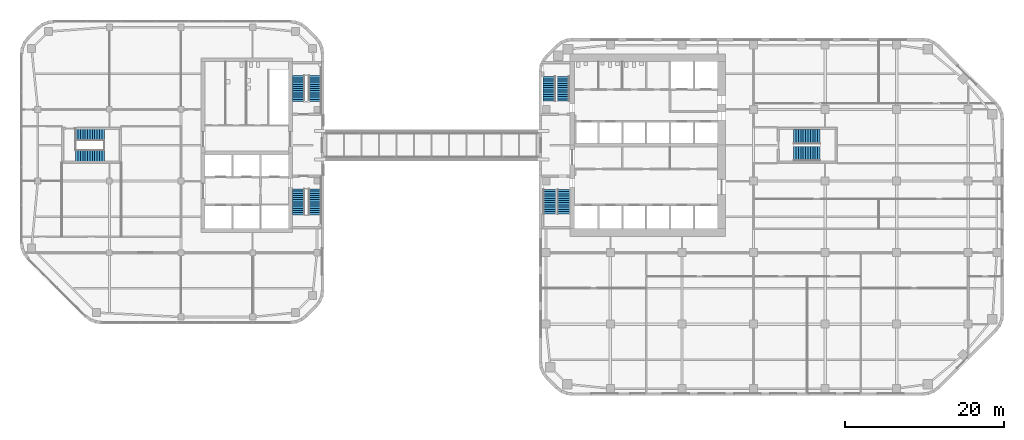
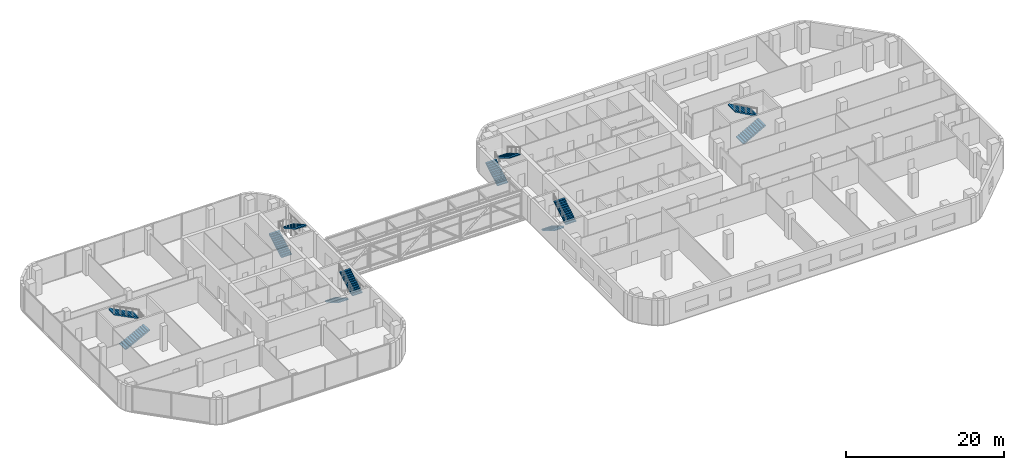
# One storey, part 21 of 24: 12 stair flights, 6 elements without a shape of their own.
"""IFC4 building model written with IfcOpenShell, lengths in metres."""

from ifc_helpers import new_model, si_unit, direction, frame, origin, place, context, subcontext, project, spatial, polyline, outline, extrude, material, type_object, element, aggregate, save


model = new_model("IFC4")

# Units and contexts
model_context = context("Model", 3, precision=1e-05, world=origin(), true_north=direction((0.0, 1.0)))
body_context = subcontext(model_context, "Body", "Model", "MODEL_VIEW")
ifc_project = project(units=[si_unit("LENGTHUNIT", "METRE"), si_unit("AREAUNIT", "SQUARE_METRE"), si_unit("VOLUMEUNIT", "CUBIC_METRE"), si_unit("PLANEANGLEUNIT", "RADIAN"), si_unit("MASSUNIT", "GRAM", prefix="KILO")], contexts=[model_context])

# Site, building, storey
site_placement = place(None, origin())
site = spatial("IfcSite", under=ifc_project, at=site_placement, CompositionType="ELEMENT")
building_placement = place(site_placement, origin())
building = spatial("IfcBuilding", under=site, at=building_placement, Name="Cinnabar Reach Civic Tower", CompositionType="ELEMENT")
storey_placement = place(building_placement, frame((0.0, 0.0, 71.0)))
storey = spatial("IfcBuildingStorey", under=building, at=storey_placement, Name="L16", CompositionType="ELEMENT", Elevation=71.0)

# Stair, stair flights
ifc_material_1 = material(Name="Concrete C40/50", Category="concrete")
stair_type_1 = type_object("IfcStairType", Name="T1 Exit stair, half-turn", PredefinedType="HALF_TURN_STAIR", material=ifc_material_1)
stair_1_placement = place(storey_placement, origin())
stair_1 = element("IfcStair", 1, at=stair_1_placement, inside=storey, type_object=stair_type_1, Name="Stair T1-S1", PredefinedType="HALF_TURN_STAIR")
stair_flight_type_1 = type_object("IfcStairFlightType", Name="T1 Stair flight, concrete", PredefinedType="STRAIGHT", material=ifc_material_1)
stair_flight_1_placement = place(storey_placement, frame((1.3125, 25.95, 0.0), z_axis=(0.0, 0.0, 1.0), x_axis=(0.0, -1.0, 0.0)))
stair_flight_1 = element("IfcStairFlight", 2, at=stair_flight_1_placement, type_object=stair_flight_type_1, Name="T1-S1 flight 1", NumberOfRisers=12, NumberOfTreads=11, PredefinedType="STRAIGHT", RiserHeight=0.166666667, TreadLength=0.28, context=body_context, shape_type="SweptSolid", body=[
    extrude(outline(polyline([(0.0, 0.0), (0.0, 0.1667), (0.28, 0.1667), (0.28, 0.3333), (0.56, 0.3333), (0.56, 0.5), (0.84, 0.5), (0.84, 0.6667), (1.12, 0.6667), (1.12, 0.8333), (1.4, 0.8333), (1.4, 1.0), (1.68, 1.0), (1.68, 1.1667), (1.96, 1.1667), (1.96, 1.3333), (2.24, 1.3333), (2.24, 1.5), (2.52, 1.5), (2.52, 1.6667), (2.8, 1.6667), (2.8, 1.8333), (3.08, 1.8333), (3.08, 2.0), (3.08, 1.6588), (0.2933, 0.0), (0.0, 0.0)])), frame((0.0, 0.7625, 0.0), z_axis=(0.0, -1.0, 0.0), x_axis=(1.0, 0.0, 0.0)), (0.0, 0.0, 1.0), 1.525),
])
stair_flight_2_placement = place(storey_placement, frame((3.0875, 22.87, 2.0), z_axis=(0.0, 0.0, 1.0), x_axis=(0.0, 1.0, 0.0)))
stair_flight_2 = element("IfcStairFlight", 3, at=stair_flight_2_placement, type_object=stair_flight_type_1, Name="T1-S1 flight 2", NumberOfRisers=12, NumberOfTreads=11, PredefinedType="STRAIGHT", RiserHeight=0.166666667, TreadLength=0.28, context=body_context, shape_type="SweptSolid", body=[
    extrude(outline(polyline([(0.0, 0.0), (0.0, 0.1667), (0.28, 0.1667), (0.28, 0.3333), (0.56, 0.3333), (0.56, 0.5), (0.84, 0.5), (0.84, 0.6667), (1.12, 0.6667), (1.12, 0.8333), (1.4, 0.8333), (1.4, 1.0), (1.68, 1.0), (1.68, 1.1667), (1.96, 1.1667), (1.96, 1.3333), (2.24, 1.3333), (2.24, 1.5), (2.52, 1.5), (2.52, 1.6667), (2.8, 1.6667), (2.8, 1.8333), (3.08, 1.8333), (3.08, 2.0), (3.08, 1.6588), (0.2933, 0.0), (0.0, 0.0)])), frame((0.0, 0.7625, 0.0), z_axis=(0.0, -1.0, 0.0), x_axis=(1.0, 0.0, 0.0)), (0.0, 0.0, 1.0), 1.525),
])
aggregate(stair_1, [stair_flight_1, stair_flight_2])

stair_2_placement = place(storey_placement, origin())
stair_2 = element("IfcStair", 4, at=stair_2_placement, inside=storey, type_object=stair_type_1, Name="Stair T1-S2", PredefinedType="HALF_TURN_STAIR")
stair_flight_3_placement = place(storey_placement, frame((1.3125, 37.05, 0.0), z_axis=(0.0, 0.0, 1.0), x_axis=(0.0, 1.0, 0.0)))
stair_flight_3 = element("IfcStairFlight", 5, at=stair_flight_3_placement, type_object=stair_flight_type_1, Name="T1-S2 flight 1", NumberOfRisers=12, NumberOfTreads=11, PredefinedType="STRAIGHT", RiserHeight=0.166666667, TreadLength=0.28, context=body_context, shape_type="SweptSolid", body=[
    extrude(outline(polyline([(0.0, 0.0), (0.0, 0.1667), (0.28, 0.1667), (0.28, 0.3333), (0.56, 0.3333), (0.56, 0.5), (0.84, 0.5), (0.84, 0.6667), (1.12, 0.6667), (1.12, 0.8333), (1.4, 0.8333), (1.4, 1.0), (1.68, 1.0), (1.68, 1.1667), (1.96, 1.1667), (1.96, 1.3333), (2.24, 1.3333), (2.24, 1.5), (2.52, 1.5), (2.52, 1.6667), (2.8, 1.6667), (2.8, 1.8333), (3.08, 1.8333), (3.08, 2.0), (3.08, 1.6588), (0.2933, 0.0), (0.0, 0.0)])), frame((0.0, 0.7625, 0.0), z_axis=(0.0, -1.0, 0.0), x_axis=(1.0, 0.0, 0.0)), (0.0, 0.0, 1.0), 1.525),
])
stair_flight_4_placement = place(storey_placement, frame((3.0875, 40.13, 2.0), z_axis=(0.0, 0.0, 1.0), x_axis=(0.0, -1.0, 0.0)))
stair_flight_4 = element("IfcStairFlight", 6, at=stair_flight_4_placement, type_object=stair_flight_type_1, Name="T1-S2 flight 2", NumberOfRisers=12, NumberOfTreads=11, PredefinedType="STRAIGHT", RiserHeight=0.166666667, TreadLength=0.28, context=body_context, shape_type="SweptSolid", body=[
    extrude(outline(polyline([(0.0, 0.0), (0.0, 0.1667), (0.28, 0.1667), (0.28, 0.3333), (0.56, 0.3333), (0.56, 0.5), (0.84, 0.5), (0.84, 0.6667), (1.12, 0.6667), (1.12, 0.8333), (1.4, 0.8333), (1.4, 1.0), (1.68, 1.0), (1.68, 1.1667), (1.96, 1.1667), (1.96, 1.3333), (2.24, 1.3333), (2.24, 1.5), (2.52, 1.5), (2.52, 1.6667), (2.8, 1.6667), (2.8, 1.8333), (3.08, 1.8333), (3.08, 2.0), (3.08, 1.6588), (0.2933, 0.0), (0.0, 0.0)])), frame((0.0, 0.7625, 0.0), z_axis=(0.0, -1.0, 0.0), x_axis=(1.0, 0.0, 0.0)), (0.0, 0.0, 1.0), 1.525),
])
aggregate(stair_2, [stair_flight_3, stair_flight_4])

stair_3_placement = place(storey_placement, origin())
stair_3 = element("IfcStair", 7, at=stair_3_placement, inside=storey, type_object=stair_type_1, Name="Stair T1-S3", PredefinedType="HALF_TURN_STAIR")
stair_flight_5_placement = place(storey_placement, frame((32.05, 30.45, 0.0), z_axis=(0.0, 0.0, 1.0), x_axis=(1.0, 0.0, 0.0)))
stair_flight_5 = element("IfcStairFlight", 8, at=stair_flight_5_placement, type_object=stair_flight_type_1, Name="T1-S3 flight 1", NumberOfRisers=12, NumberOfTreads=11, PredefinedType="STRAIGHT", RiserHeight=0.166666667, TreadLength=0.3, context=body_context, shape_type="SweptSolid", body=[
    extrude(outline(polyline([(0.0, 0.0), (0.0, 0.1667), (0.3, 0.1667), (0.3, 0.3333), (0.6, 0.3333), (0.6, 0.5), (0.9, 0.5), (0.9, 0.6667), (1.2, 0.6667), (1.2, 0.8333), (1.5, 0.8333), (1.5, 1.0), (1.8, 1.0), (1.8, 1.1667), (2.1, 1.1667), (2.1, 1.3333), (2.4, 1.3333), (2.4, 1.5), (2.7, 1.5), (2.7, 1.6667), (3.0, 1.6667), (3.0, 1.8333), (3.3, 1.8333), (3.3, 2.0), (3.3, 1.6617), (0.3089, 0.0), (0.0, 0.0)])), frame((0.0, 0.9, 0.0), z_axis=(0.0, -1.0, 0.0), x_axis=(1.0, 0.0, 0.0)), (0.0, 0.0, 1.0), 1.8),
])
stair_flight_6_placement = place(storey_placement, frame((35.35, 32.55, 2.0), z_axis=(0.0, 0.0, 1.0), x_axis=(-1.0, 0.0, 0.0)))
stair_flight_6 = element("IfcStairFlight", 9, at=stair_flight_6_placement, type_object=stair_flight_type_1, Name="T1-S3 flight 2", NumberOfRisers=12, NumberOfTreads=11, PredefinedType="STRAIGHT", RiserHeight=0.166666667, TreadLength=0.3, context=body_context, shape_type="SweptSolid", body=[
    extrude(outline(polyline([(0.0, 0.0), (0.0, 0.1667), (0.3, 0.1667), (0.3, 0.3333), (0.6, 0.3333), (0.6, 0.5), (0.9, 0.5), (0.9, 0.6667), (1.2, 0.6667), (1.2, 0.8333), (1.5, 0.8333), (1.5, 1.0), (1.8, 1.0), (1.8, 1.1667), (2.1, 1.1667), (2.1, 1.3333), (2.4, 1.3333), (2.4, 1.5), (2.7, 1.5), (2.7, 1.6667), (3.0, 1.6667), (3.0, 1.8333), (3.3, 1.8333), (3.3, 2.0), (3.3, 1.6617), (0.3089, 0.0), (0.0, 0.0)])), frame((0.0, 0.9, 0.0), z_axis=(0.0, -1.0, 0.0), x_axis=(1.0, 0.0, 0.0)), (0.0, 0.0, 1.0), 1.8),
])
aggregate(stair_3, [stair_flight_5, stair_flight_6])

ifc_material_2 = material(Name="Concrete C40", Category="concrete")
stair_type_2 = type_object("IfcStairType", Name="T2 Exit stair 1500", PredefinedType="HALF_TURN_STAIR", material=ifc_material_2)
stair_4_placement = place(storey_placement, origin())
stair_4 = element("IfcStair", 10, at=stair_4_placement, inside=storey, type_object=stair_type_2, Name="Exit stair 1", PredefinedType="HALF_TURN_STAIR")
stair_flight_type_2 = type_object("IfcStairFlightType", Name="T2 Stair flight 1500", PredefinedType="STRAIGHT", material=ifc_material_2)
stair_flight_7_placement = place(storey_placement, frame((-30.25, 26.0, 0.0), z_axis=(0.0, 0.0, 1.0), x_axis=(0.0, -1.0, 0.0)))
stair_flight_7 = element("IfcStairFlight", 11, at=stair_flight_7_placement, type_object=stair_flight_type_2, Name="ST1 flight 1", NumberOfRisers=13, NumberOfTreads=12, PredefinedType="STRAIGHT", RiserHeight=0.153846154, TreadLength=0.270833333, context=body_context, shape_type="SweptSolid", body=[
    extrude(outline(polyline([(0.0, 0.0), (0.0, 0.1538), (0.2708, 0.1538), (0.2708, 0.3077), (0.5417, 0.3077), (0.5417, 0.4615), (0.8125, 0.4615), (0.8125, 0.6154), (1.0833, 0.6154), (1.0833, 0.7692), (1.3542, 0.7692), (1.3542, 0.9231), (1.625, 0.9231), (1.625, 1.0769), (1.8958, 1.0769), (1.8958, 1.2308), (2.1667, 1.2308), (2.1667, 1.3846), (2.4375, 1.3846), (2.4375, 1.5385), (2.7083, 1.5385), (2.7083, 1.6923), (2.9792, 1.6923), (2.9792, 1.8462), (3.25, 1.8462), (3.25, 2.0), (3.25, 1.6736), (0.3037, 0.0), (0.0, 0.0)])), frame((0.0, 0.75, 0.0), z_axis=(0.0, -1.0, 0.0), x_axis=(1.0, 0.0, 0.0)), (0.0, 0.0, 1.0), 1.5),
])
stair_flight_8_placement = place(storey_placement, frame((-28.15, 22.75, 2.0), z_axis=(0.0, 0.0, 1.0), x_axis=(0.0, 1.0, 0.0)))
stair_flight_8 = element("IfcStairFlight", 12, at=stair_flight_8_placement, type_object=stair_flight_type_2, Name="ST1 flight 2", NumberOfRisers=13, NumberOfTreads=12, PredefinedType="STRAIGHT", RiserHeight=0.153846154, TreadLength=0.270833333, context=body_context, shape_type="SweptSolid", body=[
    extrude(outline(polyline([(0.0, 0.0), (0.0, 0.1538), (0.2708, 0.1538), (0.2708, 0.3077), (0.5417, 0.3077), (0.5417, 0.4615), (0.8125, 0.4615), (0.8125, 0.6154), (1.0833, 0.6154), (1.0833, 0.7692), (1.3542, 0.7692), (1.3542, 0.9231), (1.625, 0.9231), (1.625, 1.0769), (1.8958, 1.0769), (1.8958, 1.2308), (2.1667, 1.2308), (2.1667, 1.3846), (2.4375, 1.3846), (2.4375, 1.5385), (2.7083, 1.5385), (2.7083, 1.6923), (2.9792, 1.6923), (2.9792, 1.8462), (3.25, 1.8462), (3.25, 2.0), (3.25, 1.6736), (0.3037, 0.0), (0.0, 0.0)])), frame((0.0, 0.75, 0.0), z_axis=(0.0, -1.0, 0.0), x_axis=(1.0, 0.0, 0.0)), (0.0, 0.0, 1.0), 1.5),
])
aggregate(stair_4, [stair_flight_7, stair_flight_8])

stair_5_placement = place(storey_placement, origin())
stair_5 = element("IfcStair", 13, at=stair_5_placement, inside=storey, type_object=stair_type_2, Name="Exit stair 2", PredefinedType="HALF_TURN_STAIR")
stair_flight_9_placement = place(storey_placement, frame((-30.25, 37.0, 0.0), z_axis=(0.0, 0.0, 1.0), x_axis=(0.0, 1.0, 0.0)))
stair_flight_9 = element("IfcStairFlight", 14, at=stair_flight_9_placement, type_object=stair_flight_type_2, Name="ST2 flight 1", NumberOfRisers=13, NumberOfTreads=12, PredefinedType="STRAIGHT", RiserHeight=0.153846154, TreadLength=0.270833333, context=body_context, shape_type="SweptSolid", body=[
    extrude(outline(polyline([(0.0, 0.0), (0.0, 0.1538), (0.2708, 0.1538), (0.2708, 0.3077), (0.5417, 0.3077), (0.5417, 0.4615), (0.8125, 0.4615), (0.8125, 0.6154), (1.0833, 0.6154), (1.0833, 0.7692), (1.3542, 0.7692), (1.3542, 0.9231), (1.625, 0.9231), (1.625, 1.0769), (1.8958, 1.0769), (1.8958, 1.2308), (2.1667, 1.2308), (2.1667, 1.3846), (2.4375, 1.3846), (2.4375, 1.5385), (2.7083, 1.5385), (2.7083, 1.6923), (2.9792, 1.6923), (2.9792, 1.8462), (3.25, 1.8462), (3.25, 2.0), (3.25, 1.6736), (0.3037, 0.0), (0.0, 0.0)])), frame((0.0, 0.75, 0.0), z_axis=(0.0, -1.0, 0.0), x_axis=(1.0, 0.0, 0.0)), (0.0, 0.0, 1.0), 1.5),
])
stair_flight_10_placement = place(storey_placement, frame((-28.15, 40.25, 2.0), z_axis=(0.0, 0.0, 1.0), x_axis=(0.0, -1.0, 0.0)))
stair_flight_10 = element("IfcStairFlight", 15, at=stair_flight_10_placement, type_object=stair_flight_type_2, Name="ST2 flight 2", NumberOfRisers=13, NumberOfTreads=12, PredefinedType="STRAIGHT", RiserHeight=0.153846154, TreadLength=0.270833333, context=body_context, shape_type="SweptSolid", body=[
    extrude(outline(polyline([(0.0, 0.0), (0.0, 0.1538), (0.2708, 0.1538), (0.2708, 0.3077), (0.5417, 0.3077), (0.5417, 0.4615), (0.8125, 0.4615), (0.8125, 0.6154), (1.0833, 0.6154), (1.0833, 0.7692), (1.3542, 0.7692), (1.3542, 0.9231), (1.625, 0.9231), (1.625, 1.0769), (1.8958, 1.0769), (1.8958, 1.2308), (2.1667, 1.2308), (2.1667, 1.3846), (2.4375, 1.3846), (2.4375, 1.5385), (2.7083, 1.5385), (2.7083, 1.6923), (2.9792, 1.6923), (2.9792, 1.8462), (3.25, 1.8462), (3.25, 2.0), (3.25, 1.6736), (0.3037, 0.0), (0.0, 0.0)])), frame((0.0, 0.75, 0.0), z_axis=(0.0, -1.0, 0.0), x_axis=(1.0, 0.0, 0.0)), (0.0, 0.0, 1.0), 1.5),
])
aggregate(stair_5, [stair_flight_9, stair_flight_10])

stair_6_placement = place(storey_placement, origin())
stair_6 = element("IfcStair", 16, at=stair_6_placement, inside=storey, type_object=stair_type_2, Name="Exit stair 3", PredefinedType="HALF_TURN_STAIR")
stair_flight_11_placement = place(storey_placement, frame((-58.25, 30.125, 0.0), z_axis=(0.0, 0.0, 1.0), x_axis=(1.0, 0.0, 0.0)))
stair_flight_11 = element("IfcStairFlight", 17, at=stair_flight_11_placement, type_object=stair_flight_type_2, Name="ST3 flight 1", NumberOfRisers=13, NumberOfTreads=12, PredefinedType="STRAIGHT", RiserHeight=0.153846154, TreadLength=0.3, context=body_context, shape_type="SweptSolid", body=[
    extrude(outline(polyline([(0.0, 0.0), (0.0, 0.1538), (0.3, 0.1538), (0.3, 0.3077), (0.6, 0.3077), (0.6, 0.4615), (0.9, 0.4615), (0.9, 0.6154), (1.2, 0.6154), (1.2, 0.7692), (1.5, 0.7692), (1.5, 0.9231), (1.8, 0.9231), (1.8, 1.0769), (2.1, 1.0769), (2.1, 1.2308), (2.4, 1.2308), (2.4, 1.3846), (2.7, 1.3846), (2.7, 1.5385), (3.0, 1.5385), (3.0, 1.6923), (3.3, 1.6923), (3.3, 1.8462), (3.6, 1.8462), (3.6, 2.0), (3.6, 1.6776), (0.3287, 0.0), (0.0, 0.0)])), frame((0.0, 0.75, 0.0), z_axis=(0.0, -1.0, 0.0), x_axis=(1.0, 0.0, 0.0)), (0.0, 0.0, 1.0), 1.5),
])
stair_flight_12_placement = place(storey_placement, frame((-54.65, 32.875, 2.0), z_axis=(0.0, 0.0, 1.0), x_axis=(-1.0, 0.0, 0.0)))
stair_flight_12 = element("IfcStairFlight", 18, at=stair_flight_12_placement, type_object=stair_flight_type_2, Name="ST3 flight 2", NumberOfRisers=13, NumberOfTreads=12, PredefinedType="STRAIGHT", RiserHeight=0.153846154, TreadLength=0.3, context=body_context, shape_type="SweptSolid", body=[
    extrude(outline(polyline([(0.0, 0.0), (0.0, 0.1538), (0.3, 0.1538), (0.3, 0.3077), (0.6, 0.3077), (0.6, 0.4615), (0.9, 0.4615), (0.9, 0.6154), (1.2, 0.6154), (1.2, 0.7692), (1.5, 0.7692), (1.5, 0.9231), (1.8, 0.9231), (1.8, 1.0769), (2.1, 1.0769), (2.1, 1.2308), (2.4, 1.2308), (2.4, 1.3846), (2.7, 1.3846), (2.7, 1.5385), (3.0, 1.5385), (3.0, 1.6923), (3.3, 1.6923), (3.3, 1.8462), (3.6, 1.8462), (3.6, 2.0), (3.6, 1.6776), (0.3287, 0.0), (0.0, 0.0)])), frame((0.0, 0.75, 0.0), z_axis=(0.0, -1.0, 0.0), x_axis=(1.0, 0.0, 0.0)), (0.0, 0.0, 1.0), 1.5),
])
aggregate(stair_6, [stair_flight_11, stair_flight_12])

save(model, "model.ifc")
